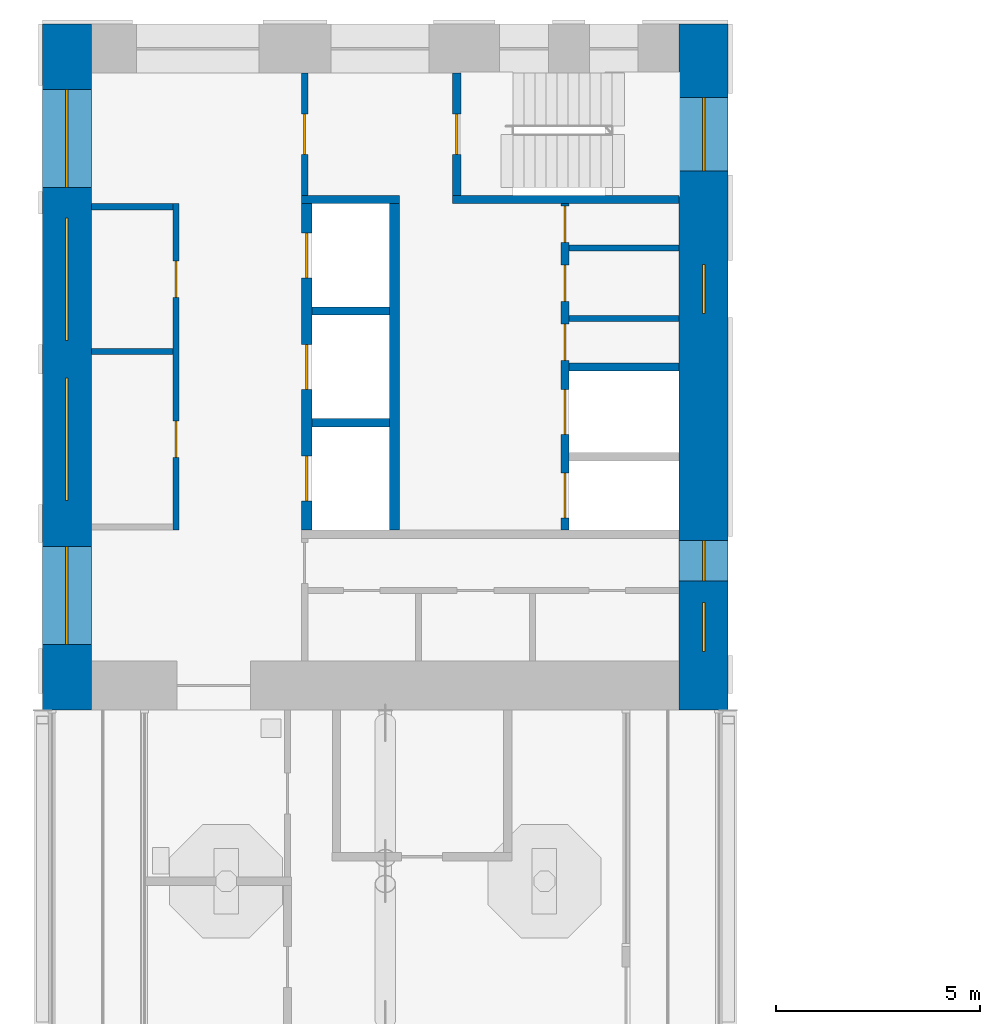
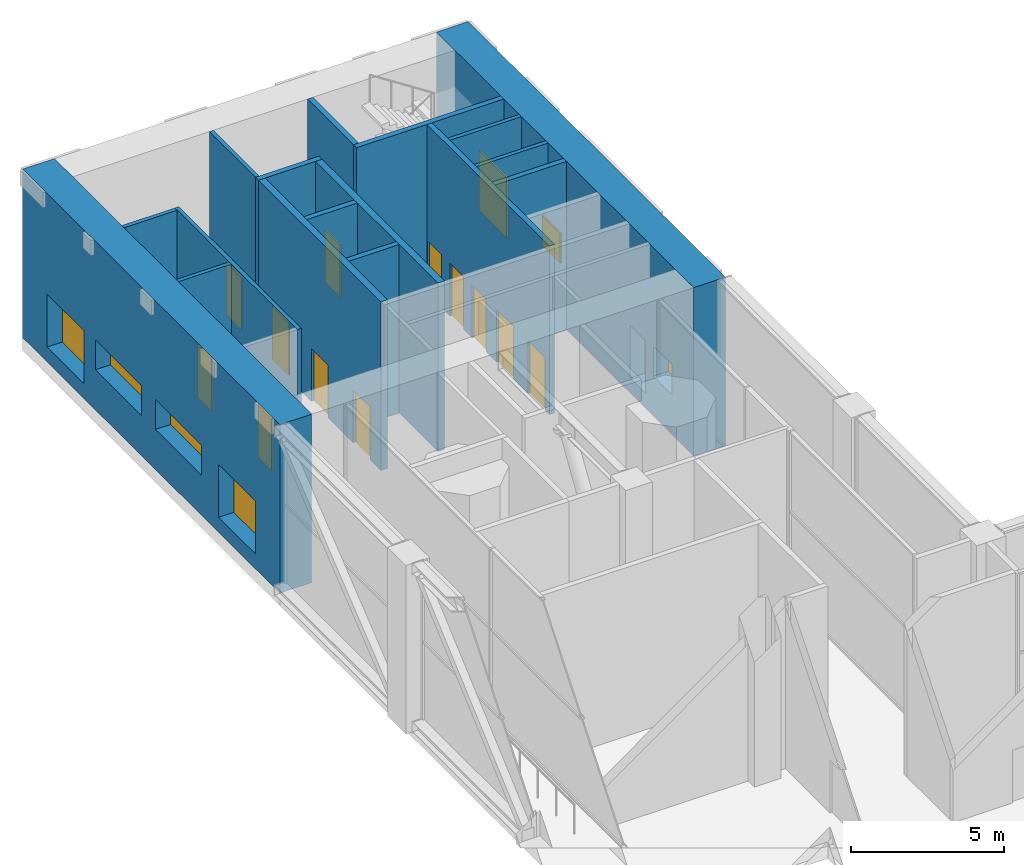
# One storey, part 10 of 20: 17 walls, 12 doors, 8 windows, 20 openings.
"""IFC4 building model written with IfcOpenShell, lengths in metres."""

from ifc_helpers import new_model, si_unit, direction, frame, frame_2d, origin, place, context, subcontext, project, spatial, rectangle, extrude, material, layer, layer_set, type_object, element, fill, save


model = new_model("IFC4")

# Units and contexts
model_context = context("Model", 3, precision=1e-05, world=origin(), true_north=direction((0.0, 1.0)))
body_context = subcontext(model_context, "Body", "Model", "MODEL_VIEW")
ifc_project = project(units=[si_unit("LENGTHUNIT", "METRE"), si_unit("AREAUNIT", "SQUARE_METRE"), si_unit("VOLUMEUNIT", "CUBIC_METRE"), si_unit("PLANEANGLEUNIT", "RADIAN"), si_unit("MASSUNIT", "GRAM", prefix="KILO")], contexts=[model_context])

# Site, building, storey
site_placement = place(None, origin())
site = spatial("IfcSite", under=ifc_project, at=site_placement, CompositionType="ELEMENT")
building_placement = place(site_placement, origin())
building = spatial("IfcBuilding", under=site, at=building_placement, Name="Vermilion Gate Residences", CompositionType="ELEMENT")
storey_placement = place(building_placement, frame((0.0, 0.0, 207.199951171875)))
storey = spatial("IfcBuildingStorey", under=building, at=storey_placement, Name="L54", CompositionType="ELEMENT", Elevation=207.199951171875)

# Walls
ifc_material_1 = material(Name="Masonry blockwork", Category="masonry")
ifc_layer_1 = layer(ifc_material_1, 0.14990234375)
ifc_layer_set_1 = layer_set([ifc_layer_1], Name="BLOCKWORK PARTITION 150 EI 120")
wall_type_1 = type_object("IfcWallType", Name="BLOCKWORK PARTITION 150 EI 120", PredefinedType="PARTITIONING", material=ifc_layer_set_1)
for number, where, z_axis, x_axis, name in (
    (1, (9.60009765625, 54.324951171875, 0.0), (0.0, 0.0, 1.0), (1.0, 0.0, 0.0), "Core room partition B54-RW-W"),
    (2, (9.60009765625, 50.777587890625, 0.0), (0.0, 0.0, 1.0), (1.0, 0.0, 0.0), "Core room partition B54-SR-P0"),
):
    element("IfcWall", number, at=place(storey_placement, frame(where, z_axis=z_axis, x_axis=x_axis)), inside=storey, type_object=wall_type_1, Name=name, PredefinedType="PARTITIONING", context=body_context, shape_type="SweptSolid", body=[
        extrude(rectangle(XDim=2.0, YDim=0.14990234375, at=frame_2d((1.0, 0.0))), origin(), (0.0, 0.0, 1.0), 6.719970703125),
    ])

# Wall, openings, doors
wall_1_placement = place(storey_placement, frame((11.675048828125, 54.39990234375, 0.0), z_axis=(0.0, 0.0, 1.0), x_axis=(0.0, -1.0, 0.0)))
wall_1 = element("IfcWall", 3, at=wall_1_placement, inside=storey, type_object=wall_type_1, Name="Core room partition B54-LR-F", PredefinedType="PARTITIONING", context=body_context, shape_type="SweptSolid", body=[
    extrude(rectangle(XDim=8.0, YDim=0.14990234375, at=frame_2d((4.0, 0.0))), origin(), (0.0, 0.0, 1.0), 6.719970703125),
])
opening_1_placement = place(wall_1_placement, frame((1.398681640625, 0.0, 0.0)))
opening_1 = element("IfcOpeningElement", 4, at=opening_1_placement, cuts=wall_1, Name="Opening DK54102", PredefinedType="OPENING", context=body_context, shape_type="SweptSolid", body=[
    extrude(rectangle(XDim=0.89990234375, YDim=2.10009765625, at=frame_2d((0.449951171875, 1.050048828125))), frame((0.0, 0.0849609375, 0.0), z_axis=(0.0, -1.0, 0.0), x_axis=(1.0, 0.0, 0.0)), (0.0, 0.0, 1.0), 0.169921875),
])
opening_2_placement = place(wall_1_placement, frame((5.32373046875, 0.0, 0.0)))
opening_2 = element("IfcOpeningElement", 5, at=opening_2_placement, cuts=wall_1, Name="Opening DK54103", PredefinedType="OPENING", context=body_context, shape_type="SweptSolid", body=[
    extrude(rectangle(XDim=0.89990234375, YDim=2.10009765625, at=frame_2d((0.449951171875, 1.050048828125))), frame((0.0, 0.0849609375, 0.0), z_axis=(0.0, -1.0, 0.0), x_axis=(1.0, 0.0, 0.0)), (0.0, 0.0, 1.0), 0.169921875),
])
ifc_material_2 = material(Name="Steel", Category="steel")
door_type_1 = type_object("IfcDoorType", Name="SERVICE ROOM DOOR FD60 900 X 2100", OperationType="SINGLE_SWING_LEFT", PredefinedType="DOOR", material=ifc_material_2)
door_1_placement = place(opening_1_placement, origin())
door_1 = element("IfcDoor", 6, at=door_1_placement, inside=storey, type_object=door_type_1, Name="Water tank room B54", OperationType="SINGLE_SWING_LEFT", OverallHeight=2.10009765625, OverallWidth=0.89990234375, PredefinedType="DOOR", context=body_context, shape_type="SweptSolid", body=[
    extrude(rectangle(XDim=0.89990234375, YDim=2.10009765625, at=frame_2d((0.449951171875, 1.050048828125))), frame((0.0, 0.02490234375, 0.0), z_axis=(0.0, -1.0, 0.0), x_axis=(1.0, 0.0, 0.0)), (0.0, 0.0, 1.0), 0.050048828125),
])
fill(opening_1, door_1)
door_2_placement = place(opening_2_placement, origin())
door_2 = element("IfcDoor", 7, at=door_2_placement, inside=storey, type_object=door_type_1, Name="Mechanical plant room B54", OperationType="SINGLE_SWING_LEFT", OverallHeight=2.10009765625, OverallWidth=0.89990234375, PredefinedType="DOOR", context=body_context, shape_type="SweptSolid", body=[
    extrude(rectangle(XDim=0.89990234375, YDim=2.10009765625, at=frame_2d((0.449951171875, 1.050048828125))), frame((0.0, 0.02490234375, 0.0), z_axis=(0.0, -1.0, 0.0), x_axis=(1.0, 0.0, 0.0)), (0.0, 0.0, 1.0), 0.050048828125),
])
fill(opening_2, door_2)

# Walls
for number, where, z_axis, x_axis, name in (
    (8, (21.300048828125, 53.31689453125, 0.0), (0.0, 0.0, 1.0), (1.0, 0.0, 0.0), "Core room partition B54-NR-P0"),
    (9, (21.300048828125, 51.5830078125, 0.0), (0.0, 0.0, 1.0), (1.0, 0.0, 0.0), "Core room partition B54-NR-P1"),
):
    element("IfcWall", number, at=place(storey_placement, frame(where, z_axis=z_axis, x_axis=x_axis)), inside=storey, type_object=wall_type_1, Name=name, PredefinedType="PARTITIONING", context=body_context, shape_type="SweptSolid", body=[
        extrude(rectangle(XDim=2.699951171875, YDim=0.14990234375, at=frame_2d((1.35009765625, 0.0))), origin(), (0.0, 0.0, 1.0), 6.719970703125),
    ])

# Wall, opening, door
wall_2_placement = place(storey_placement, frame((14.824951171875, 57.60009765625, 0.0), z_axis=(0.0, 0.0, 1.0), x_axis=(0.0, -1.0, 0.0)))
wall_2 = element("IfcWall", 10, at=wall_2_placement, inside=storey, type_object=wall_type_1, Name="Core room partition B54-VW-S", PredefinedType="PARTITIONING", context=body_context, shape_type="SweptSolid", body=[
    extrude(rectangle(XDim=3.0, YDim=0.14990234375, at=frame_2d((1.5, 0.0))), origin(), (0.0, 0.0, 1.0), 6.719970703125),
])
opening_3_placement = place(wall_2_placement, frame((1.0, 0.0, 0.0)))
opening_3 = element("IfcOpeningElement", 11, at=opening_3_placement, cuts=wall_2, Name="Opening DK54112", PredefinedType="OPENING", context=body_context, shape_type="SweptSolid", body=[
    extrude(rectangle(XDim=1.0, YDim=2.10009765625, at=frame_2d((0.5, 1.050048828125))), frame((0.0, 0.0849609375, 0.0), z_axis=(0.0, -1.0, 0.0), x_axis=(1.0, 0.0, 0.0)), (0.0, 0.0, 1.0), 0.169921875),
])
ifc_material_3 = material(Name="Steel", Category="steel")
door_type_2 = type_object("IfcDoorType", Name="FIRE DOOR FD60 1000 X 2100", OperationType="SINGLE_SWING_LEFT", PredefinedType="DOOR", material=ifc_material_3)
door_3_placement = place(opening_3_placement, frame((1.0, 0.0, 0.0), z_axis=(0.0, 0.0, 1.0), x_axis=(-1.0, 0.0, 0.0)))
door_3 = element("IfcDoor", 12, at=door_3_placement, inside=storey, type_object=door_type_2, Name="Stair vestibule door B54", OperationType="SINGLE_SWING_RIGHT", OverallHeight=2.10009765625, OverallWidth=1.0, PredefinedType="DOOR", context=body_context, shape_type="SweptSolid", body=[
    extrude(rectangle(XDim=1.0, YDim=2.10009765625, at=frame_2d((0.5, 1.050048828125))), frame((0.0, 0.02490234375, 0.0), z_axis=(0.0, -1.0, 0.0), x_axis=(1.0, 0.0, 0.0)), (0.0, 0.0, 1.0), 0.050048828125),
])
fill(opening_3, door_3)

# Walls
ifc_material_4 = material(Name="Concrete C60", Category="concrete")
ifc_layer_2 = layer(ifc_material_4, 0.199951171875)
ifc_layer_set_2 = layer_set([ifc_layer_2], Name="RC CORE INTERNAL WALL 200 C60")
wall_type_2 = type_object("IfcWallType", Name="RC CORE INTERNAL WALL 200 C60", PredefinedType="SHEAR", material=ifc_layer_set_2)
for number, where, z_axis, x_axis, name in (
    (13, (15.0, 51.7666015625, 0.0), (0.0, 0.0, 1.0), (1.0, 0.0, 0.0), "Core internal wall B54-HR-D1"),
    (14, (15.0, 49.033447265625, 0.0), (0.0, 0.0, 1.0), (1.0, 0.0, 0.0), "Core internal wall B54-HR-D2"),
):
    element("IfcWall", number, at=place(storey_placement, frame(where, z_axis=z_axis, x_axis=x_axis)), inside=storey, type_object=wall_type_2, Name=name, PredefinedType="SHEAR", context=body_context, shape_type="SweptSolid", body=[
        extrude(rectangle(XDim=1.89990234375, YDim=0.199951171875, at=frame_2d((0.949951171875, 0.0))), origin(), (0.0, 0.0, 1.0), 6.719970703125),
    ])
wall_3_placement = place(storey_placement, frame((21.300048828125, 50.39990234375, 0.0), z_axis=(0.0, 0.0, 1.0), x_axis=(1.0, 0.0, 0.0)))
element("IfcWall", 15, at=wall_3_placement, inside=storey, type_object=wall_type_2, Name="Core internal wall B54-FF-D0", PredefinedType="SHEAR", context=body_context, shape_type="SweptSolid", body=[
    extrude(rectangle(XDim=2.699951171875, YDim=0.199951171875, at=frame_2d((1.35009765625, 0.0))), origin(), (0.0, 0.0, 1.0), 6.719970703125),
])

# Wall, openings, doors
wall_4_placement = place(storey_placement, frame((21.199951171875, 54.39990234375, 0.0), z_axis=(0.0, 0.0, 1.0), x_axis=(0.0, -1.0, 0.0)))
wall_4 = element("IfcWall", 16, at=wall_4_placement, inside=storey, type_object=wall_type_2, Name="Core internal wall B54-FF-F", PredefinedType="SHEAR", context=body_context, shape_type="SweptSolid", body=[
    extrude(rectangle(XDim=8.0, YDim=0.199951171875, at=frame_2d((4.0, 0.0))), origin(), (0.0, 0.0, 1.0), 6.719970703125),
])
opening_4_placement = place(wall_4_placement, frame((0.053955078125, 0.0, 0.0)))
opening_4 = element("IfcOpeningElement", 17, at=opening_4_placement, cuts=wall_4, Name="Opening DK54107", PredefinedType="OPENING", context=body_context, shape_type="SweptSolid", body=[
    extrude(rectangle(XDim=0.89990234375, YDim=2.10009765625, at=frame_2d((0.449951171875, 1.050048828125))), frame((0.0, 0.10986328125, 0.0), z_axis=(0.0, -1.0, 0.0), x_axis=(1.0, 0.0, 0.0)), (0.0, 0.0, 1.0), 0.219970703125),
])
opening_5_placement = place(wall_4_placement, frame((1.5, 0.0, 0.0)))
opening_5 = element("IfcOpeningElement", 18, at=opening_5_placement, cuts=wall_4, Name="Opening DK54108", PredefinedType="OPENING", context=body_context, shape_type="SweptSolid", body=[
    extrude(rectangle(XDim=0.89990234375, YDim=2.10009765625, at=frame_2d((0.449951171875, 1.050048828125))), frame((0.0, 0.10986328125, 0.0), z_axis=(0.0, -1.0, 0.0), x_axis=(1.0, 0.0, 0.0)), (0.0, 0.0, 1.0), 0.219970703125),
])
opening_6_placement = place(wall_4_placement, frame((2.946044921875, 0.0, 0.0)))
opening_6 = element("IfcOpeningElement", 19, at=opening_6_placement, cuts=wall_4, Name="Opening DK54109", PredefinedType="OPENING", context=body_context, shape_type="SweptSolid", body=[
    extrude(rectangle(XDim=0.89990234375, YDim=2.10009765625, at=frame_2d((0.449951171875, 1.050048828125))), frame((0.0, 0.10986328125, 0.0), z_axis=(0.0, -1.0, 0.0), x_axis=(1.0, 0.0, 0.0)), (0.0, 0.0, 1.0), 0.219970703125),
])
opening_7_placement = place(wall_4_placement, frame((4.550048828125, 0.0, 0.0)))
opening_7 = element("IfcOpeningElement", 20, at=opening_7_placement, cuts=wall_4, Name="Opening LD", PredefinedType="OPENING", context=body_context, shape_type="SweptSolid", body=[
    extrude(rectangle(XDim=1.10009765625, YDim=2.10009765625, at=frame_2d((0.550048828125, 1.050048828125))), frame((0.0, 0.10986328125, 0.0), z_axis=(0.0, -1.0, 0.0), x_axis=(1.0, 0.0, 0.0)), (0.0, 0.0, 1.0), 0.219970703125),
])
opening_8_placement = place(wall_4_placement, frame((6.60009765625, 0.0, 0.0)))
opening_8 = element("IfcOpeningElement", 21, at=opening_8_placement, cuts=wall_4, Name="Opening LD", PredefinedType="OPENING", context=body_context, shape_type="SweptSolid", body=[
    extrude(rectangle(XDim=1.10009765625, YDim=2.10009765625, at=frame_2d((0.550048828125, 1.050048828125))), frame((0.0, 0.10986328125, 0.0), z_axis=(0.0, -1.0, 0.0), x_axis=(1.0, 0.0, 0.0)), (0.0, 0.0, 1.0), 0.219970703125),
])
ifc_material_5 = material(Name="Stainless steel", Category="steel")
door_type_3 = type_object("IfcDoorType", Name="LIFT LANDING DOOR E60 1100 X 2100", OperationType="DOUBLE_DOOR_SLIDING", PredefinedType="DOOR", material=ifc_material_5)
door_4_placement = place(opening_7_placement, origin())
door_4 = element("IfcDoor", 22, at=door_4_placement, inside=storey, type_object=door_type_3, Name="Lift landing door LFB1", OperationType="DOUBLE_DOOR_SLIDING", OverallHeight=2.10009765625, OverallWidth=1.10009765625, PredefinedType="DOOR", context=body_context, shape_type="SweptSolid", body=[
    extrude(rectangle(XDim=1.10009765625, YDim=2.10009765625, at=frame_2d((0.550048828125, 1.050048828125))), frame((0.0, 0.02490234375, 0.0), z_axis=(0.0, -1.0, 0.0), x_axis=(1.0, 0.0, 0.0)), (0.0, 0.0, 1.0), 0.050048828125),
])
fill(opening_7, door_4)
door_5_placement = place(opening_8_placement, origin())
door_5 = element("IfcDoor", 23, at=door_5_placement, inside=storey, type_object=door_type_3, Name="Lift landing door LCB1", OperationType="DOUBLE_DOOR_SLIDING", OverallHeight=2.10009765625, OverallWidth=1.10009765625, PredefinedType="DOOR", context=body_context, shape_type="SweptSolid", body=[
    extrude(rectangle(XDim=1.10009765625, YDim=2.10009765625, at=frame_2d((0.550048828125, 1.050048828125))), frame((0.0, 0.02490234375, 0.0), z_axis=(0.0, -1.0, 0.0), x_axis=(1.0, 0.0, 0.0)), (0.0, 0.0, 1.0), 0.050048828125),
])
fill(opening_8, door_5)
door_6_placement = place(opening_4_placement, frame((0.89990234375, 0.0, 0.0), z_axis=(0.0, 0.0, 1.0), x_axis=(-1.0, 0.0, 0.0)))
door_6 = element("IfcDoor", 24, at=door_6_placement, inside=storey, type_object=door_type_1, Name="Electrical switch room B54", OperationType="SINGLE_SWING_RIGHT", OverallHeight=2.10009765625, OverallWidth=0.89990234375, PredefinedType="DOOR", context=body_context, shape_type="SweptSolid", body=[
    extrude(rectangle(XDim=0.89990234375, YDim=2.10009765625, at=frame_2d((0.449951171875, 1.050048828125))), frame((0.0, 0.02490234375, 0.0), z_axis=(0.0, -1.0, 0.0), x_axis=(1.0, 0.0, 0.0)), (0.0, 0.0, 1.0), 0.050048828125),
])
fill(opening_4, door_6)
door_7_placement = place(opening_5_placement, origin())
door_7 = element("IfcDoor", 25, at=door_7_placement, inside=storey, type_object=door_type_1, Name="Communications room B54", OperationType="SINGLE_SWING_LEFT", OverallHeight=2.10009765625, OverallWidth=0.89990234375, PredefinedType="DOOR", context=body_context, shape_type="SweptSolid", body=[
    extrude(rectangle(XDim=0.89990234375, YDim=2.10009765625, at=frame_2d((0.449951171875, 1.050048828125))), frame((0.0, 0.02490234375, 0.0), z_axis=(0.0, -1.0, 0.0), x_axis=(1.0, 0.0, 0.0)), (0.0, 0.0, 1.0), 0.050048828125),
])
fill(opening_5, door_7)
door_8_placement = place(opening_6_placement, frame((0.89990234375, 0.0, 0.0), z_axis=(0.0, 0.0, 1.0), x_axis=(-1.0, 0.0, 0.0)))
door_8 = element("IfcDoor", 26, at=door_8_placement, inside=storey, type_object=door_type_1, Name="AHU plant room B54", OperationType="SINGLE_SWING_RIGHT", OverallHeight=2.10009765625, OverallWidth=0.89990234375, PredefinedType="DOOR", context=body_context, shape_type="SweptSolid", body=[
    extrude(rectangle(XDim=0.89990234375, YDim=2.10009765625, at=frame_2d((0.449951171875, 1.050048828125))), frame((0.0, 0.02490234375, 0.0), z_axis=(0.0, -1.0, 0.0), x_axis=(1.0, 0.0, 0.0)), (0.0, 0.0, 1.0), 0.050048828125),
])
fill(opening_6, door_8)

# Walls
wall_5_placement = place(storey_placement, frame((14.75, 54.5, 0.0), z_axis=(0.0, 0.0, 1.0), x_axis=(1.0, 0.0, 0.0)))
element("IfcWall", 27, at=wall_5_placement, inside=storey, type_object=wall_type_2, Name="Core internal wall B54-WDIV1", PredefinedType="SHEAR", context=body_context, shape_type="SweptSolid", body=[
    extrude(rectangle(XDim=2.39990234375, YDim=0.199951171875, at=frame_2d((1.199951171875, 0.0))), origin(), (0.0, 0.0, 1.0), 6.719970703125),
])
wall_6_placement = place(storey_placement, frame((18.449951171875, 54.5, 0.0), z_axis=(0.0, 0.0, 1.0), x_axis=(1.0, 0.0, 0.0)))
element("IfcWall", 28, at=wall_6_placement, inside=storey, type_object=wall_type_2, Name="Core internal wall B54-WDIV2", PredefinedType="SHEAR", context=body_context, shape_type="SweptSolid", body=[
    extrude(rectangle(XDim=5.550048828125, YDim=0.199951171875, at=frame_2d((2.77490234375, 0.0))), origin(), (0.0, 0.0, 1.0), 6.719970703125),
])

# Wall, opening, door
wall_7_placement = place(storey_placement, frame((18.550048828125, 57.60009765625, 0.0), z_axis=(0.0, 0.0, 1.0), x_axis=(0.0, -1.0, 0.0)))
wall_7 = element("IfcWall", 29, at=wall_7_placement, inside=storey, type_object=wall_type_2, Name="Core internal wall B54-STW-S", PredefinedType="SHEAR", context=body_context, shape_type="SweptSolid", body=[
    extrude(rectangle(XDim=3.0, YDim=0.199951171875, at=frame_2d((1.5, 0.0))), origin(), (0.0, 0.0, 1.0), 6.719970703125),
])
opening_9_placement = place(wall_7_placement, frame((1.0, 0.0, 0.0)))
opening_9 = element("IfcOpeningElement", 30, at=opening_9_placement, cuts=wall_7, Name="Opening DK54113", PredefinedType="OPENING", context=body_context, shape_type="SweptSolid", body=[
    extrude(rectangle(XDim=1.0, YDim=2.10009765625, at=frame_2d((0.5, 1.050048828125))), frame((0.0, 0.10986328125, 0.0), z_axis=(0.0, -1.0, 0.0), x_axis=(1.0, 0.0, 0.0)), (0.0, 0.0, 1.0), 0.219970703125),
])
door_9_placement = place(opening_9_placement, origin())
door_9 = element("IfcDoor", 31, at=door_9_placement, inside=storey, type_object=door_type_2, Name="Stair door B54", OperationType="SINGLE_SWING_LEFT", OverallHeight=2.10009765625, OverallWidth=1.0, PredefinedType="DOOR", context=body_context, shape_type="SweptSolid", body=[
    extrude(rectangle(XDim=1.0, YDim=2.10009765625, at=frame_2d((0.5, 1.050048828125))), frame((0.0, 0.02490234375, 0.0), z_axis=(0.0, -1.0, 0.0), x_axis=(1.0, 0.0, 0.0)), (0.0, 0.0, 1.0), 0.050048828125),
])
fill(opening_9, door_9)

# Wall, openings, windows
ifc_material_6 = material(Name="Concrete C60 red-oxide pigmented", Category="concrete")
ifc_layer_3 = layer(ifc_material_6, 1.199951171875)
ifc_layer_set_3 = layer_set([ifc_layer_3], Name="RC CORE WALL 1200 C60 RED OXIDE")
wall_type_3 = type_object("IfcWallType", Name="RC CORE WALL 1200 C60 RED OXIDE", PredefinedType="SHEAR", material=ifc_layer_set_3)
wall_8_placement = place(storey_placement, frame((9.0, 58.800048828125, 0.0), z_axis=(0.0, 0.0, 1.0), x_axis=(0.0, -1.0, 0.0)))
wall_8 = element("IfcWall", 32, at=wall_8_placement, inside=storey, type_object=wall_type_3, Name="Core wall B54-OUT-B0", PredefinedType="SHEAR", context=body_context, shape_type="SweptSolid", body=[
    extrude(rectangle(XDim=16.800048828125, YDim=1.199951171875, at=frame_2d((8.39990234375, 0.0))), origin(), (0.0, 0.0, 1.0), 6.719970703125),
])
opening_10_placement = place(wall_8_placement, frame((1.60009765625, 0.0, 0.60009765625)))
opening_10 = element("IfcOpeningElement", 33, at=opening_10_placement, cuts=wall_8, Name="Opening WKB5401", PredefinedType="OPENING", context=body_context, shape_type="SweptSolid", body=[
    extrude(rectangle(XDim=2.39990234375, YDim=2.10009765625, at=frame_2d((1.199951171875, 1.050048828125))), frame((0.0, 0.60986328125, 0.0), z_axis=(0.0, -1.0, 0.0), x_axis=(1.0, 0.0, 0.0)), (0.0, 0.0, 1.0), 1.219970703125),
])
opening_11_placement = place(wall_8_placement, frame((4.748779296875, 0.0, 1.60009765625)))
opening_11 = element("IfcOpeningElement", 34, at=opening_11_placement, cuts=wall_8, Name="Opening WKB5402", PredefinedType="OPENING", context=body_context, shape_type="SweptSolid", body=[
    extrude(rectangle(XDim=3.0, YDim=1.199951171875, at=frame_2d((1.5, 0.60009765625))), frame((0.0, 0.60986328125, 0.0), z_axis=(0.0, -1.0, 0.0), x_axis=(1.0, 0.0, 0.0)), (0.0, 0.0, 1.0), 1.219970703125),
])
opening_12_placement = place(wall_8_placement, frame((8.673583984375, 0.0, 1.60009765625)))
opening_12 = element("IfcOpeningElement", 35, at=opening_12_placement, cuts=wall_8, Name="Opening WKB5403", PredefinedType="OPENING", context=body_context, shape_type="SweptSolid", body=[
    extrude(rectangle(XDim=3.0, YDim=1.199951171875, at=frame_2d((1.5, 0.60009765625))), frame((0.0, 0.60986328125, 0.0), z_axis=(0.0, -1.0, 0.0), x_axis=(1.0, 0.0, 0.0)), (0.0, 0.0, 1.0), 1.219970703125),
])
opening_13_placement = place(wall_8_placement, frame((12.800048828125, 0.0, 0.60009765625)))
opening_13 = element("IfcOpeningElement", 36, at=opening_13_placement, cuts=wall_8, Name="Opening WKB5404", PredefinedType="OPENING", context=body_context, shape_type="SweptSolid", body=[
    extrude(rectangle(XDim=2.39990234375, YDim=2.10009765625, at=frame_2d((1.199951171875, 1.050048828125))), frame((0.0, 0.60986328125, 0.0), z_axis=(0.0, -1.0, 0.0), x_axis=(1.0, 0.0, 0.0)), (0.0, 0.0, 1.0), 1.219970703125),
])
ifc_material_7 = material(Name="Aluminium and clear glass", Category="aluminium")
window_type_1 = type_object("IfcWindowType", Name="CORE LOBBY WINDOW 2400 X 2100", PartitioningType="SINGLE_PANEL", PredefinedType="WINDOW", material=ifc_material_7)
window_1_placement = place(opening_10_placement, origin())
window_1 = element("IfcWindow", 37, at=window_1_placement, inside=storey, type_object=window_type_1, Name="Core lobby window", OverallHeight=2.10009765625, OverallWidth=2.39990234375, PartitioningType="SINGLE_PANEL", PredefinedType="WINDOW", context=body_context, shape_type="SweptSolid", body=[
    extrude(rectangle(XDim=2.39990234375, YDim=2.10009765625, at=frame_2d((1.199951171875, 1.050048828125))), frame((0.0, 0.030029296875, 0.0), z_axis=(0.0, -1.0, 0.0), x_axis=(1.0, 0.0, 0.0)), (0.0, 0.0, 1.0), 0.06005859375),
])
fill(opening_10, window_1)
window_2_placement = place(opening_13_placement, origin())
window_2 = element("IfcWindow", 38, at=window_2_placement, inside=storey, type_object=window_type_1, Name="Core lobby window", OverallHeight=2.10009765625, OverallWidth=2.39990234375, PartitioningType="SINGLE_PANEL", PredefinedType="WINDOW", context=body_context, shape_type="SweptSolid", body=[
    extrude(rectangle(XDim=2.39990234375, YDim=2.10009765625, at=frame_2d((1.199951171875, 1.050048828125))), frame((0.0, 0.030029296875, 0.0), z_axis=(0.0, -1.0, 0.0), x_axis=(1.0, 0.0, 0.0)), (0.0, 0.0, 1.0), 0.06005859375),
])
fill(opening_13, window_2)
ifc_material_8 = material(Name="Aluminium frame with louvre blades", Category="aluminium")
window_type_2 = type_object("IfcWindowType", Name="CORE LOUVRE 3000 X 1200", PartitioningType="SINGLE_PANEL", PredefinedType="WINDOW", material=ifc_material_8)
window_3_placement = place(opening_11_placement, origin())
window_3 = element("IfcWindow", 39, at=window_3_placement, inside=storey, type_object=window_type_2, Name="Core louvre", OverallHeight=1.199951171875, OverallWidth=3.0, PartitioningType="SINGLE_PANEL", PredefinedType="WINDOW", context=body_context, shape_type="SweptSolid", body=[
    extrude(rectangle(XDim=3.0, YDim=1.199951171875, at=frame_2d((1.5, 0.60009765625))), frame((0.0, 0.030029296875, 0.0), z_axis=(0.0, -1.0, 0.0), x_axis=(1.0, 0.0, 0.0)), (0.0, 0.0, 1.0), 0.06005859375),
])
fill(opening_11, window_3)
window_4_placement = place(opening_12_placement, origin())
window_4 = element("IfcWindow", 40, at=window_4_placement, inside=storey, type_object=window_type_2, Name="Core louvre", OverallHeight=1.199951171875, OverallWidth=3.0, PartitioningType="SINGLE_PANEL", PredefinedType="WINDOW", context=body_context, shape_type="SweptSolid", body=[
    extrude(rectangle(XDim=3.0, YDim=1.199951171875, at=frame_2d((1.5, 0.60009765625))), frame((0.0, 0.030029296875, 0.0), z_axis=(0.0, -1.0, 0.0), x_axis=(1.0, 0.0, 0.0)), (0.0, 0.0, 1.0), 0.06005859375),
])
fill(opening_12, window_4)

wall_9_placement = place(storey_placement, frame((24.60009765625, 58.800048828125, 0.0), z_axis=(0.0, 0.0, 1.0), x_axis=(0.0, -1.0, 0.0)))
wall_9 = element("IfcWall", 41, at=wall_9_placement, inside=storey, type_object=wall_type_3, Name="Core wall B54-OUT-B1", PredefinedType="SHEAR", context=body_context, shape_type="SweptSolid", body=[
    extrude(rectangle(XDim=16.800048828125, YDim=1.199951171875, at=frame_2d((8.39990234375, 0.0))), origin(), (0.0, 0.0, 1.0), 6.719970703125),
])
opening_14_placement = place(wall_9_placement, frame((1.800048828125, 0.0, 0.5)))
opening_14 = element("IfcOpeningElement", 42, at=opening_14_placement, cuts=wall_9, Name="Opening WKB5405", PredefinedType="OPENING", context=body_context, shape_type="SweptSolid", body=[
    extrude(rectangle(XDim=1.800048828125, YDim=2.39990234375, at=frame_2d((0.89990234375, 1.199951171875))), frame((0.0, 0.60986328125, 0.0), z_axis=(0.0, -1.0, 0.0), x_axis=(1.0, 0.0, 0.0)), (0.0, 0.0, 1.0), 1.219970703125),
])
opening_15_placement = place(wall_9_placement, frame((5.89208984375, 0.0, 1.60009765625)))
opening_15 = element("IfcOpeningElement", 43, at=opening_15_placement, cuts=wall_9, Name="Opening WKB5406", PredefinedType="OPENING", context=body_context, shape_type="SweptSolid", body=[
    extrude(rectangle(XDim=1.199951171875, YDim=1.199951171875, at=frame_2d((0.60009765625, 0.60009765625))), frame((0.0, 0.60986328125, 0.0), z_axis=(0.0, -1.0, 0.0), x_axis=(1.0, 0.0, 0.0)), (0.0, 0.0, 1.0), 1.219970703125),
])
opening_16_placement = place(wall_9_placement, frame((12.64990234375, 0.0, 0.60009765625)))
opening_16 = element("IfcOpeningElement", 44, at=opening_16_placement, cuts=wall_9, Name="Opening WKB5407", PredefinedType="OPENING", context=body_context, shape_type="SweptSolid", body=[
    extrude(rectangle(XDim=1.0, YDim=2.10009765625, at=frame_2d((0.5, 1.050048828125))), frame((0.0, 0.60986328125, 0.0), z_axis=(0.0, -1.0, 0.0), x_axis=(1.0, 0.0, 0.0)), (0.0, 0.0, 1.0), 1.219970703125),
])
opening_17_placement = place(wall_9_placement, frame((14.175048828125, 0.0, 1.60009765625)))
opening_17 = element("IfcOpeningElement", 45, at=opening_17_placement, cuts=wall_9, Name="Opening WKB5408", PredefinedType="OPENING", context=body_context, shape_type="SweptSolid", body=[
    extrude(rectangle(XDim=1.199951171875, YDim=1.199951171875, at=frame_2d((0.60009765625, 0.60009765625))), frame((0.0, 0.60986328125, 0.0), z_axis=(0.0, -1.0, 0.0), x_axis=(1.0, 0.0, 0.0)), (0.0, 0.0, 1.0), 1.219970703125),
])
ifc_material_9 = material(Name="Aluminium and clear glass", Category="aluminium")
window_type_3 = type_object("IfcWindowType", Name="CORE CORRIDOR WINDOW 1000 X 2100", PartitioningType="SINGLE_PANEL", PredefinedType="WINDOW", material=ifc_material_9)
window_5_placement = place(opening_16_placement, origin())
window_5 = element("IfcWindow", 46, at=window_5_placement, inside=storey, type_object=window_type_3, Name="Core corridor window", OverallHeight=2.10009765625, OverallWidth=1.0, PartitioningType="SINGLE_PANEL", PredefinedType="WINDOW", context=body_context, shape_type="SweptSolid", body=[
    extrude(rectangle(XDim=1.0, YDim=2.10009765625, at=frame_2d((0.5, 1.050048828125))), frame((0.0, 0.030029296875, 0.0), z_axis=(0.0, -1.0, 0.0), x_axis=(1.0, 0.0, 0.0)), (0.0, 0.0, 1.0), 0.06005859375),
])
fill(opening_16, window_5)
ifc_material_10 = material(Name="Aluminium frame with louvre blades", Category="aluminium")
window_type_4 = type_object("IfcWindowType", Name="CORE LOUVRE 1200 X 1200", PartitioningType="SINGLE_PANEL", PredefinedType="WINDOW", material=ifc_material_10)
window_6_placement = place(opening_15_placement, origin())
window_6 = element("IfcWindow", 47, at=window_6_placement, inside=storey, type_object=window_type_4, Name="Core louvre", OverallHeight=1.199951171875, OverallWidth=1.199951171875, PartitioningType="SINGLE_PANEL", PredefinedType="WINDOW", context=body_context, shape_type="SweptSolid", body=[
    extrude(rectangle(XDim=1.199951171875, YDim=1.199951171875, at=frame_2d((0.60009765625, 0.60009765625))), frame((0.0, 0.030029296875, 0.0), z_axis=(0.0, -1.0, 0.0), x_axis=(1.0, 0.0, 0.0)), (0.0, 0.0, 1.0), 0.06005859375),
])
fill(opening_15, window_6)
window_7_placement = place(opening_17_placement, origin())
window_7 = element("IfcWindow", 48, at=window_7_placement, inside=storey, type_object=window_type_4, Name="Core louvre", OverallHeight=1.199951171875, OverallWidth=1.199951171875, PartitioningType="SINGLE_PANEL", PredefinedType="WINDOW", context=body_context, shape_type="SweptSolid", body=[
    extrude(rectangle(XDim=1.199951171875, YDim=1.199951171875, at=frame_2d((0.60009765625, 0.60009765625))), frame((0.0, 0.030029296875, 0.0), z_axis=(0.0, -1.0, 0.0), x_axis=(1.0, 0.0, 0.0)), (0.0, 0.0, 1.0), 0.06005859375),
])
fill(opening_17, window_7)
ifc_material_11 = material(Name="Aluminium and clear glass", Category="aluminium")
window_type_5 = type_object("IfcWindowType", Name="CORE STAIR WINDOW 1800 X 2400", PartitioningType="SINGLE_PANEL", PredefinedType="WINDOW", material=ifc_material_11)
window_8_placement = place(opening_14_placement, origin())
window_8 = element("IfcWindow", 49, at=window_8_placement, inside=storey, type_object=window_type_5, Name="Core stair window", OverallHeight=2.39990234375, OverallWidth=1.800048828125, PartitioningType="SINGLE_PANEL", PredefinedType="WINDOW", context=body_context, shape_type="SweptSolid", body=[
    extrude(rectangle(XDim=1.800048828125, YDim=2.39990234375, at=frame_2d((0.89990234375, 1.199951171875))), frame((0.0, 0.030029296875, 0.0), z_axis=(0.0, -1.0, 0.0), x_axis=(1.0, 0.0, 0.0)), (0.0, 0.0, 1.0), 0.06005859375),
])
fill(opening_14, window_8)

# Wall, openings, doors
ifc_material_12 = material(Name="Concrete C60", Category="concrete")
ifc_layer_4 = layer(ifc_material_12, 0.25)
ifc_layer_set_4 = layer_set([ifc_layer_4], Name="RC LIFT SHAFT WALL 250 C60")
wall_type_4 = type_object("IfcWallType", Name="RC LIFT SHAFT WALL 250 C60", PredefinedType="SHEAR", material=ifc_layer_set_4)
wall_10_placement = place(storey_placement, frame((14.875, 54.39990234375, 0.0), z_axis=(0.0, 0.0, 1.0), x_axis=(0.0, -1.0, 0.0)))
wall_10 = element("IfcWall", 50, at=wall_10_placement, inside=storey, type_object=wall_type_4, Name="Lift shaft wall B54-HR-F", PredefinedType="SHEAR", context=body_context, shape_type="SweptSolid", body=[
    extrude(rectangle(XDim=8.0, YDim=0.25, at=frame_2d((4.0, 0.0))), origin(), (0.0, 0.0, 1.0), 6.719970703125),
])
opening_18_placement = place(wall_10_placement, frame((0.716552734375, 0.0, 0.0)))
opening_18 = element("IfcOpeningElement", 51, at=opening_18_placement, cuts=wall_10, Name="Opening LD", PredefinedType="OPENING", context=body_context, shape_type="SweptSolid", body=[
    extrude(rectangle(XDim=1.10009765625, YDim=2.10009765625, at=frame_2d((0.550048828125, 1.050048828125))), frame((0.0, 0.135009765625, 0.0), z_axis=(0.0, -1.0, 0.0), x_axis=(1.0, 0.0, 0.0)), (0.0, 0.0, 1.0), 0.27001953125),
])
opening_19_placement = place(wall_10_placement, frame((3.449951171875, 0.0, 0.0)))
opening_19 = element("IfcOpeningElement", 52, at=opening_19_placement, cuts=wall_10, Name="Opening LD", PredefinedType="OPENING", context=body_context, shape_type="SweptSolid", body=[
    extrude(rectangle(XDim=1.10009765625, YDim=2.10009765625, at=frame_2d((0.550048828125, 1.050048828125))), frame((0.0, 0.135009765625, 0.0), z_axis=(0.0, -1.0, 0.0), x_axis=(1.0, 0.0, 0.0)), (0.0, 0.0, 1.0), 0.27001953125),
])
opening_20_placement = place(wall_10_placement, frame((6.183349609375, 0.0, 0.0)))
opening_20 = element("IfcOpeningElement", 53, at=opening_20_placement, cuts=wall_10, Name="Opening LD", PredefinedType="OPENING", context=body_context, shape_type="SweptSolid", body=[
    extrude(rectangle(XDim=1.10009765625, YDim=2.10009765625, at=frame_2d((0.550048828125, 1.050048828125))), frame((0.0, 0.135009765625, 0.0), z_axis=(0.0, -1.0, 0.0), x_axis=(1.0, 0.0, 0.0)), (0.0, 0.0, 1.0), 0.27001953125),
])
door_10_placement = place(opening_18_placement, origin())
door_10 = element("IfcDoor", 54, at=door_10_placement, inside=storey, type_object=door_type_3, Name="Lift landing door HRB1", OperationType="DOUBLE_DOOR_SLIDING", OverallHeight=2.10009765625, OverallWidth=1.10009765625, PredefinedType="DOOR", context=body_context, shape_type="SweptSolid", body=[
    extrude(rectangle(XDim=1.10009765625, YDim=2.10009765625, at=frame_2d((0.550048828125, 1.050048828125))), frame((0.0, 0.02490234375, 0.0), z_axis=(0.0, -1.0, 0.0), x_axis=(1.0, 0.0, 0.0)), (0.0, 0.0, 1.0), 0.050048828125),
])
fill(opening_18, door_10)
door_11_placement = place(opening_19_placement, origin())
door_11 = element("IfcDoor", 55, at=door_11_placement, inside=storey, type_object=door_type_3, Name="Lift landing door HRB2", OperationType="DOUBLE_DOOR_SLIDING", OverallHeight=2.10009765625, OverallWidth=1.10009765625, PredefinedType="DOOR", context=body_context, shape_type="SweptSolid", body=[
    extrude(rectangle(XDim=1.10009765625, YDim=2.10009765625, at=frame_2d((0.550048828125, 1.050048828125))), frame((0.0, 0.02490234375, 0.0), z_axis=(0.0, -1.0, 0.0), x_axis=(1.0, 0.0, 0.0)), (0.0, 0.0, 1.0), 0.050048828125),
])
fill(opening_19, door_11)
door_12_placement = place(opening_20_placement, origin())
door_12 = element("IfcDoor", 56, at=door_12_placement, inside=storey, type_object=door_type_3, Name="Lift landing door HRB3", OperationType="DOUBLE_DOOR_SLIDING", OverallHeight=2.10009765625, OverallWidth=1.10009765625, PredefinedType="DOOR", context=body_context, shape_type="SweptSolid", body=[
    extrude(rectangle(XDim=1.10009765625, YDim=2.10009765625, at=frame_2d((0.550048828125, 1.050048828125))), frame((0.0, 0.02490234375, 0.0), z_axis=(0.0, -1.0, 0.0), x_axis=(1.0, 0.0, 0.0)), (0.0, 0.0, 1.0), 0.050048828125),
])
fill(opening_20, door_12)

# Wall
wall_11_placement = place(storey_placement, frame((17.02490234375, 54.39990234375, 0.0), z_axis=(0.0, 0.0, 1.0), x_axis=(0.0, -1.0, 0.0)))
element("IfcWall", 57, at=wall_11_placement, inside=storey, type_object=wall_type_4, Name="Lift shaft wall B54-HR-B", PredefinedType="SHEAR", context=body_context, shape_type="SweptSolid", body=[
    extrude(rectangle(XDim=8.0, YDim=0.25, at=frame_2d((4.0, 0.0))), origin(), (0.0, 0.0, 1.0), 6.719970703125),
])

save(model, "model.ifc")
